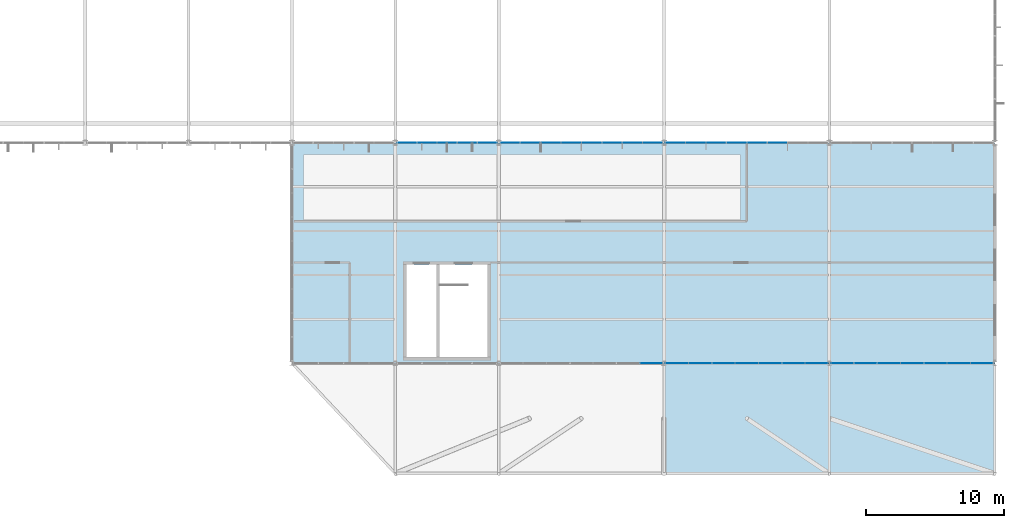
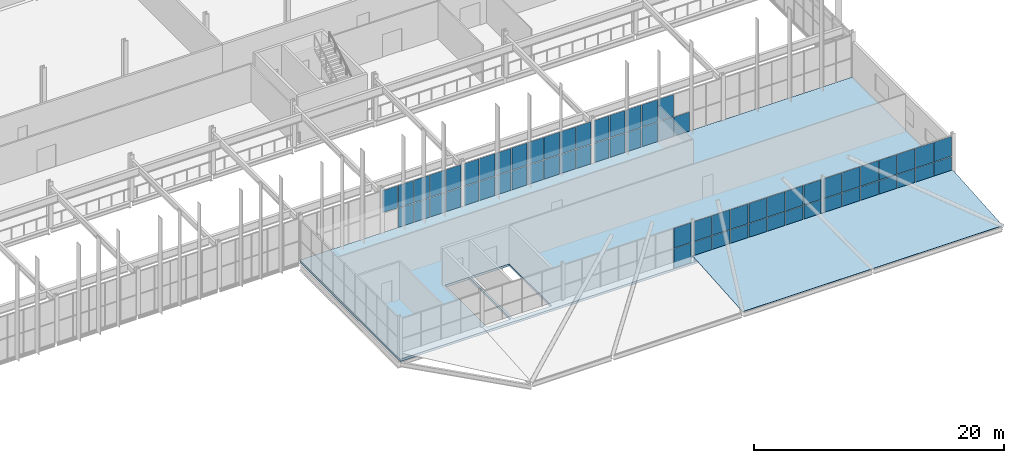
# One storey, part 282 of 324: 67 plates, 1 slab, 6 elements without a shape of their own.
"""IFC4 building model written with IfcOpenShell, lengths in metres."""

from ifc_helpers import new_model, si_unit, direction, frame, origin, origin_2d, place, context, subcontext, project, spatial, polyline, rectangle, outline, extrude, material, layer, layer_set, type_object, element, aggregate, save


model = new_model("IFC4")

# Units and contexts
model_context = context("Model", 3, precision=1e-05, world=origin(), true_north=direction((0.0, 1.0)))
body_context = subcontext(model_context, "Body", "Model", "MODEL_VIEW")
ifc_project = project(units=[si_unit("LENGTHUNIT", "METRE"), si_unit("AREAUNIT", "SQUARE_METRE"), si_unit("VOLUMEUNIT", "CUBIC_METRE"), si_unit("PLANEANGLEUNIT", "RADIAN"), si_unit("MASSUNIT", "GRAM", prefix="KILO")], contexts=[model_context])

# Site, building, storey
site_placement = place(None, origin())
site = spatial("IfcSite", under=ifc_project, at=site_placement, CompositionType="ELEMENT")
building_placement = place(site_placement, origin())
building = spatial("IfcBuilding", under=site, at=building_placement, Name="Solvenia Promenade Tram Depot", CompositionType="ELEMENT")
storey_placement = place(building_placement, frame((0.0, 0.0, 4.5)))
storey = spatial("IfcBuildingStorey", under=building, at=storey_placement, Name="L01", CompositionType="ELEMENT", Elevation=4.5)

# Curtain wall, plates
ifc_material_1 = material(Name="Anodized aluminium AW-6063 T6", Category="aluminium")
ifc_layer_1 = layer(ifc_material_1, 0.080078125, Name="Anodized aluminium AW-6063 T6", Category="aluminium")
ifc_layer_set_1 = layer_set([ifc_layer_1], Name="Anodized aluminium AW-6063 T6")
curtain_wall_type_1 = type_object("IfcCurtainWallType", Name="CW-Clerest-1500", PredefinedType="NOTDEFINED", material=ifc_layer_set_1)
curtain_wall_1_placement = place(storey_placement, origin())
curtain_wall_1 = element("IfcCurtainWall", 1, at=curtain_wall_1_placement, inside=storey, type_object=curtain_wall_type_1, Name="Curtain Wall CW-V2S-L1-06", PredefinedType="NOTDEFINED")
ifc_material_2 = material(Name="Double low-e argon insulated glass", Category="glass")
ifc_layer_2 = layer(ifc_material_2, 0.031982421875, Name="Double low-e argon insulated glass", Category="glass")
ifc_layer_set_2 = layer_set([ifc_layer_2], Name="Double low-e argon insulated glass")
plate_type_1 = type_object("IfcPlateType", Name="CWP-Panel-2", PredefinedType="CURTAIN_PANEL", material=ifc_layer_set_2)
plate_1_placement = place(storey_placement, frame((143.32763671875, 24.0, 1.927490234375), z_axis=(0.0, 0.0, 1.0), x_axis=(1.0, 0.0, 0.0)))
plate_1 = element("IfcPlate", 2, at=plate_1_placement, type_object=plate_type_1, Name="CW-4 panel 1.2", PredefinedType="CURTAIN_PANEL", context=body_context, shape_type="SweptSolid", body=[
    extrude(rectangle(XDim=1.385498046875, YDim=0.031982421875, at=origin_2d()), origin(), (0.0, 0.0, 1.0), 2.16748046875),
])
plate_2_placement = place(storey_placement, frame((144.781982421875, 24.0, -0.294921875), z_axis=(0.0, 0.0, 1.0), x_axis=(1.0, 0.0, 0.0)))
plate_2 = element("IfcPlate", 3, at=plate_2_placement, type_object=plate_type_1, Name="CW-4 panel 2.1", PredefinedType="CURTAIN_PANEL", context=body_context, shape_type="SweptSolid", body=[
    extrude(rectangle(XDim=1.4130859375, YDim=0.031982421875, at=origin_2d()), origin(), (0.0, 0.0, 1.0), 2.16748046875),
])
plate_3_placement = place(storey_placement, frame((144.781982421875, 24.0, 1.927490234375), z_axis=(0.0, 0.0, 1.0), x_axis=(1.0, 0.0, 0.0)))
plate_3 = element("IfcPlate", 4, at=plate_3_placement, type_object=plate_type_1, Name="CW-4 panel 2.2", PredefinedType="CURTAIN_PANEL", context=body_context, shape_type="SweptSolid", body=[
    extrude(rectangle(XDim=1.4130859375, YDim=0.031982421875, at=origin_2d()), origin(), (0.0, 0.0, 1.0), 2.16748046875),
])
plate_4_placement = place(storey_placement, frame((146.25, 24.0, -0.294921875), z_axis=(0.0, 0.0, 1.0), x_axis=(1.0, 0.0, 0.0)))
plate_4 = element("IfcPlate", 5, at=plate_4_placement, type_object=plate_type_1, Name="CW-4 panel 3.1", PredefinedType="CURTAIN_PANEL", context=body_context, shape_type="SweptSolid", body=[
    extrude(rectangle(XDim=1.4130859375, YDim=0.031982421875, at=origin_2d()), origin(), (0.0, 0.0, 1.0), 2.16748046875),
])
plate_5_placement = place(storey_placement, frame((146.25, 24.0, 1.927490234375), z_axis=(0.0, 0.0, 1.0), x_axis=(1.0, 0.0, 0.0)))
plate_5 = element("IfcPlate", 6, at=plate_5_placement, type_object=plate_type_1, Name="CW-4 panel 3.2", PredefinedType="CURTAIN_PANEL", context=body_context, shape_type="SweptSolid", body=[
    extrude(rectangle(XDim=1.4130859375, YDim=0.031982421875, at=origin_2d()), origin(), (0.0, 0.0, 1.0), 2.16748046875),
])
plate_6_placement = place(storey_placement, frame((147.718017578125, 24.0, -0.294921875), z_axis=(0.0, 0.0, 1.0), x_axis=(1.0, 0.0, 0.0)))
plate_6 = element("IfcPlate", 7, at=plate_6_placement, type_object=plate_type_1, Name="CW-4 panel 4.1", PredefinedType="CURTAIN_PANEL", context=body_context, shape_type="SweptSolid", body=[
    extrude(rectangle(XDim=1.4130859375, YDim=0.031982421875, at=origin_2d()), origin(), (0.0, 0.0, 1.0), 2.16748046875),
])
plate_7_placement = place(storey_placement, frame((147.718017578125, 24.0, 1.927490234375), z_axis=(0.0, 0.0, 1.0), x_axis=(1.0, 0.0, 0.0)))
plate_7 = element("IfcPlate", 8, at=plate_7_placement, type_object=plate_type_1, Name="CW-4 panel 4.2", PredefinedType="CURTAIN_PANEL", context=body_context, shape_type="SweptSolid", body=[
    extrude(rectangle(XDim=1.4130859375, YDim=0.031982421875, at=origin_2d()), origin(), (0.0, 0.0, 1.0), 2.16748046875),
])
plate_8_placement = place(storey_placement, frame((149.17236328125, 24.0, -0.294921875), z_axis=(0.0, 0.0, 1.0), x_axis=(1.0, 0.0, 0.0)))
plate_8 = element("IfcPlate", 9, at=plate_8_placement, type_object=plate_type_1, Name="CW-4 panel 5.1", PredefinedType="CURTAIN_PANEL", context=body_context, shape_type="SweptSolid", body=[
    extrude(rectangle(XDim=1.385498046875, YDim=0.031982421875, at=origin_2d()), origin(), (0.0, 0.0, 1.0), 2.16748046875),
])
plate_9_placement = place(storey_placement, frame((149.17236328125, 24.0, 1.927490234375), z_axis=(0.0, 0.0, 1.0), x_axis=(1.0, 0.0, 0.0)))
plate_9 = element("IfcPlate", 10, at=plate_9_placement, type_object=plate_type_1, Name="CW-4 panel 5.2", PredefinedType="CURTAIN_PANEL", context=body_context, shape_type="SweptSolid", body=[
    extrude(rectangle(XDim=1.385498046875, YDim=0.031982421875, at=origin_2d()), origin(), (0.0, 0.0, 1.0), 2.16748046875),
])
aggregate(curtain_wall_1, [plate_1, plate_2, plate_3, plate_4, plate_5, plate_6, plate_7, plate_8, plate_9])

curtain_wall_2_placement = place(storey_placement, origin())
curtain_wall_2 = element("IfcCurtainWall", 11, at=curtain_wall_2_placement, inside=storey, type_object=curtain_wall_type_1, Name="Curtain Wall CW-V2S-L1-07", PredefinedType="NOTDEFINED")
plate_10_placement = place(storey_placement, frame((150.833740234375, 24.0, -0.294921875), z_axis=(0.0, 0.0, 1.0), x_axis=(1.0, 0.0, 0.0)))
plate_10 = element("IfcPlate", 12, at=plate_10_placement, type_object=plate_type_1, Name="CW-4 panel 1.1", PredefinedType="CURTAIN_PANEL", context=body_context, shape_type="SweptSolid", body=[
    extrude(rectangle(XDim=1.3974609375, YDim=0.031982421875, at=origin_2d()), origin(), (0.0, 0.0, 1.0), 2.16748046875),
])
plate_11_placement = place(storey_placement, frame((150.833740234375, 24.0, 1.927490234375), z_axis=(0.0, 0.0, 1.0), x_axis=(1.0, 0.0, 0.0)))
plate_11 = element("IfcPlate", 13, at=plate_11_placement, type_object=plate_type_1, Name="CW-4 panel 1.2", PredefinedType="CURTAIN_PANEL", context=body_context, shape_type="SweptSolid", body=[
    extrude(rectangle(XDim=1.3974609375, YDim=0.031982421875, at=origin_2d()), origin(), (0.0, 0.0, 1.0), 2.16748046875),
])
plate_12_placement = place(storey_placement, frame((152.300048828125, 24.0, -0.294921875), z_axis=(0.0, 0.0, 1.0), x_axis=(1.0, 0.0, 0.0)))
plate_12 = element("IfcPlate", 14, at=plate_12_placement, type_object=plate_type_1, Name="CW-4 panel 2.1", PredefinedType="CURTAIN_PANEL", context=body_context, shape_type="SweptSolid", body=[
    extrude(rectangle(XDim=1.425048828125, YDim=0.031982421875, at=origin_2d()), origin(), (0.0, 0.0, 1.0), 2.16748046875),
])
plate_13_placement = place(storey_placement, frame((152.300048828125, 24.0, 1.927490234375), z_axis=(0.0, 0.0, 1.0), x_axis=(1.0, 0.0, 0.0)))
plate_13 = element("IfcPlate", 15, at=plate_13_placement, type_object=plate_type_1, Name="CW-4 panel 2.2", PredefinedType="CURTAIN_PANEL", context=body_context, shape_type="SweptSolid", body=[
    extrude(rectangle(XDim=1.425048828125, YDim=0.031982421875, at=origin_2d()), origin(), (0.0, 0.0, 1.0), 2.16748046875),
])
plate_14_placement = place(storey_placement, frame((153.780029296875, 24.0, -0.294921875), z_axis=(0.0, 0.0, 1.0), x_axis=(1.0, 0.0, 0.0)))
plate_14 = element("IfcPlate", 16, at=plate_14_placement, type_object=plate_type_1, Name="CW-4 panel 3.1", PredefinedType="CURTAIN_PANEL", context=body_context, shape_type="SweptSolid", body=[
    extrude(rectangle(XDim=1.425048828125, YDim=0.031982421875, at=origin_2d()), origin(), (0.0, 0.0, 1.0), 2.16748046875),
])
plate_15_placement = place(storey_placement, frame((153.780029296875, 24.0, 1.927490234375), z_axis=(0.0, 0.0, 1.0), x_axis=(1.0, 0.0, 0.0)))
plate_15 = element("IfcPlate", 17, at=plate_15_placement, type_object=plate_type_1, Name="CW-4 panel 3.2", PredefinedType="CURTAIN_PANEL", context=body_context, shape_type="SweptSolid", body=[
    extrude(rectangle(XDim=1.425048828125, YDim=0.031982421875, at=origin_2d()), origin(), (0.0, 0.0, 1.0), 2.16748046875),
])
plate_16_placement = place(storey_placement, frame((155.260009765625, 24.0, -0.294921875), z_axis=(0.0, 0.0, 1.0), x_axis=(1.0, 0.0, 0.0)))
plate_16 = element("IfcPlate", 18, at=plate_16_placement, type_object=plate_type_1, Name="CW-4 panel 4.1", PredefinedType="CURTAIN_PANEL", context=body_context, shape_type="SweptSolid", body=[
    extrude(rectangle(XDim=1.425048828125, YDim=0.031982421875, at=origin_2d()), origin(), (0.0, 0.0, 1.0), 2.16748046875),
])
plate_17_placement = place(storey_placement, frame((155.260009765625, 24.0, 1.927490234375), z_axis=(0.0, 0.0, 1.0), x_axis=(1.0, 0.0, 0.0)))
plate_17 = element("IfcPlate", 19, at=plate_17_placement, type_object=plate_type_1, Name="CW-4 panel 4.2", PredefinedType="CURTAIN_PANEL", context=body_context, shape_type="SweptSolid", body=[
    extrude(rectangle(XDim=1.425048828125, YDim=0.031982421875, at=origin_2d()), origin(), (0.0, 0.0, 1.0), 2.16748046875),
])
plate_18_placement = place(storey_placement, frame((156.739990234375, 24.0, -0.294921875), z_axis=(0.0, 0.0, 1.0), x_axis=(1.0, 0.0, 0.0)))
plate_18 = element("IfcPlate", 20, at=plate_18_placement, type_object=plate_type_1, Name="CW-4 panel 5.1", PredefinedType="CURTAIN_PANEL", context=body_context, shape_type="SweptSolid", body=[
    extrude(rectangle(XDim=1.425048828125, YDim=0.031982421875, at=origin_2d()), origin(), (0.0, 0.0, 1.0), 2.16748046875),
])
plate_19_placement = place(storey_placement, frame((156.739990234375, 24.0, 1.927490234375), z_axis=(0.0, 0.0, 1.0), x_axis=(1.0, 0.0, 0.0)))
plate_19 = element("IfcPlate", 21, at=plate_19_placement, type_object=plate_type_1, Name="CW-4 panel 5.2", PredefinedType="CURTAIN_PANEL", context=body_context, shape_type="SweptSolid", body=[
    extrude(rectangle(XDim=1.425048828125, YDim=0.031982421875, at=origin_2d()), origin(), (0.0, 0.0, 1.0), 2.16748046875),
])
plate_20_placement = place(storey_placement, frame((158.219970703125, 24.0, -0.294921875), z_axis=(0.0, 0.0, 1.0), x_axis=(1.0, 0.0, 0.0)))
plate_20 = element("IfcPlate", 22, at=plate_20_placement, type_object=plate_type_1, Name="CW-4 panel 6.1", PredefinedType="CURTAIN_PANEL", context=body_context, shape_type="SweptSolid", body=[
    extrude(rectangle(XDim=1.425048828125, YDim=0.031982421875, at=origin_2d()), origin(), (0.0, 0.0, 1.0), 2.16748046875),
])
plate_21_placement = place(storey_placement, frame((158.219970703125, 24.0, 1.927490234375), z_axis=(0.0, 0.0, 1.0), x_axis=(1.0, 0.0, 0.0)))
plate_21 = element("IfcPlate", 23, at=plate_21_placement, type_object=plate_type_1, Name="CW-4 panel 6.2", PredefinedType="CURTAIN_PANEL", context=body_context, shape_type="SweptSolid", body=[
    extrude(rectangle(XDim=1.425048828125, YDim=0.031982421875, at=origin_2d()), origin(), (0.0, 0.0, 1.0), 2.16748046875),
])
plate_22_placement = place(storey_placement, frame((159.699951171875, 24.0, -0.294921875), z_axis=(0.0, 0.0, 1.0), x_axis=(1.0, 0.0, 0.0)))
plate_22 = element("IfcPlate", 24, at=plate_22_placement, type_object=plate_type_1, Name="CW-4 panel 7.1", PredefinedType="CURTAIN_PANEL", context=body_context, shape_type="SweptSolid", body=[
    extrude(rectangle(XDim=1.425048828125, YDim=0.031982421875, at=origin_2d()), origin(), (0.0, 0.0, 1.0), 2.16748046875),
])
plate_23_placement = place(storey_placement, frame((159.699951171875, 24.0, 1.927490234375), z_axis=(0.0, 0.0, 1.0), x_axis=(1.0, 0.0, 0.0)))
plate_23 = element("IfcPlate", 25, at=plate_23_placement, type_object=plate_type_1, Name="CW-4 panel 7.2", PredefinedType="CURTAIN_PANEL", context=body_context, shape_type="SweptSolid", body=[
    extrude(rectangle(XDim=1.425048828125, YDim=0.031982421875, at=origin_2d()), origin(), (0.0, 0.0, 1.0), 2.16748046875),
])
plate_24_placement = place(storey_placement, frame((161.166259765625, 24.0, -0.294921875), z_axis=(0.0, 0.0, 1.0), x_axis=(1.0, 0.0, 0.0)))
plate_24 = element("IfcPlate", 26, at=plate_24_placement, type_object=plate_type_1, Name="CW-4 panel 8.1", PredefinedType="CURTAIN_PANEL", context=body_context, shape_type="SweptSolid", body=[
    extrude(rectangle(XDim=1.3974609375, YDim=0.031982421875, at=origin_2d()), origin(), (0.0, 0.0, 1.0), 2.16748046875),
])
plate_25_placement = place(storey_placement, frame((161.166259765625, 24.0, 1.927490234375), z_axis=(0.0, 0.0, 1.0), x_axis=(1.0, 0.0, 0.0)))
plate_25 = element("IfcPlate", 27, at=plate_25_placement, type_object=plate_type_1, Name="CW-4 panel 8.2", PredefinedType="CURTAIN_PANEL", context=body_context, shape_type="SweptSolid", body=[
    extrude(rectangle(XDim=1.3974609375, YDim=0.031982421875, at=origin_2d()), origin(), (0.0, 0.0, 1.0), 2.16748046875),
])
aggregate(curtain_wall_2, [plate_10, plate_11, plate_12, plate_13, plate_14, plate_15, plate_16, plate_17, plate_18, plate_19, plate_20, plate_21, plate_22, plate_23, plate_24, plate_25])

curtain_wall_3_placement = place(storey_placement, origin())
curtain_wall_3 = element("IfcCurtainWall", 28, at=curtain_wall_3_placement, inside=storey, type_object=curtain_wall_type_1, Name="Curtain Wall CW-V2S-L1-08", PredefinedType="NOTDEFINED")
plate_26_placement = place(storey_placement, frame((162.833740234375, 24.0, -0.294921875), z_axis=(0.0, 0.0, 1.0), x_axis=(1.0, 0.0, 0.0)))
plate_26 = element("IfcPlate", 29, at=plate_26_placement, type_object=plate_type_1, Name="CW-4 panel 1.1", PredefinedType="CURTAIN_PANEL", context=body_context, shape_type="SweptSolid", body=[
    extrude(rectangle(XDim=1.3974609375, YDim=0.031982421875, at=origin_2d()), origin(), (0.0, 0.0, 1.0), 2.16748046875),
])
plate_27_placement = place(storey_placement, frame((162.833740234375, 24.0, 1.927490234375), z_axis=(0.0, 0.0, 1.0), x_axis=(1.0, 0.0, 0.0)))
plate_27 = element("IfcPlate", 30, at=plate_27_placement, type_object=plate_type_1, Name="CW-4 panel 1.2", PredefinedType="CURTAIN_PANEL", context=body_context, shape_type="SweptSolid", body=[
    extrude(rectangle(XDim=1.3974609375, YDim=0.031982421875, at=origin_2d()), origin(), (0.0, 0.0, 1.0), 2.16748046875),
])
plate_28_placement = place(storey_placement, frame((164.300048828125, 24.0, -0.294921875), z_axis=(0.0, 0.0, 1.0), x_axis=(1.0, 0.0, 0.0)))
plate_28 = element("IfcPlate", 31, at=plate_28_placement, type_object=plate_type_1, Name="CW-4 panel 2.1", PredefinedType="CURTAIN_PANEL", context=body_context, shape_type="SweptSolid", body=[
    extrude(rectangle(XDim=1.425048828125, YDim=0.031982421875, at=origin_2d()), origin(), (0.0, 0.0, 1.0), 2.16748046875),
])
plate_29_placement = place(storey_placement, frame((164.300048828125, 24.0, 1.927490234375), z_axis=(0.0, 0.0, 1.0), x_axis=(1.0, 0.0, 0.0)))
plate_29 = element("IfcPlate", 32, at=plate_29_placement, type_object=plate_type_1, Name="CW-4 panel 2.2", PredefinedType="CURTAIN_PANEL", context=body_context, shape_type="SweptSolid", body=[
    extrude(rectangle(XDim=1.425048828125, YDim=0.031982421875, at=origin_2d()), origin(), (0.0, 0.0, 1.0), 2.16748046875),
])
plate_30_placement = place(storey_placement, frame((165.780029296875, 24.0, -0.294921875), z_axis=(0.0, 0.0, 1.0), x_axis=(1.0, 0.0, 0.0)))
plate_30 = element("IfcPlate", 33, at=plate_30_placement, type_object=plate_type_1, Name="CW-4 panel 3.1", PredefinedType="CURTAIN_PANEL", context=body_context, shape_type="SweptSolid", body=[
    extrude(rectangle(XDim=1.425048828125, YDim=0.031982421875, at=origin_2d()), origin(), (0.0, 0.0, 1.0), 2.16748046875),
])
plate_31_placement = place(storey_placement, frame((165.780029296875, 24.0, 1.927490234375), z_axis=(0.0, 0.0, 1.0), x_axis=(1.0, 0.0, 0.0)))
plate_31 = element("IfcPlate", 34, at=plate_31_placement, type_object=plate_type_1, Name="CW-4 panel 3.2", PredefinedType="CURTAIN_PANEL", context=body_context, shape_type="SweptSolid", body=[
    extrude(rectangle(XDim=1.425048828125, YDim=0.031982421875, at=origin_2d()), origin(), (0.0, 0.0, 1.0), 2.16748046875),
])
plate_32_placement = place(storey_placement, frame((167.260009765625, 24.0, -0.294921875), z_axis=(0.0, 0.0, 1.0), x_axis=(1.0, 0.0, 0.0)))
plate_32 = element("IfcPlate", 35, at=plate_32_placement, type_object=plate_type_1, Name="CW-4 panel 4.1", PredefinedType="CURTAIN_PANEL", context=body_context, shape_type="SweptSolid", body=[
    extrude(rectangle(XDim=1.425048828125, YDim=0.031982421875, at=origin_2d()), origin(), (0.0, 0.0, 1.0), 2.16748046875),
])
plate_33_placement = place(storey_placement, frame((167.260009765625, 24.0, 1.927490234375), z_axis=(0.0, 0.0, 1.0), x_axis=(1.0, 0.0, 0.0)))
plate_33 = element("IfcPlate", 36, at=plate_33_placement, type_object=plate_type_1, Name="CW-4 panel 4.2", PredefinedType="CURTAIN_PANEL", context=body_context, shape_type="SweptSolid", body=[
    extrude(rectangle(XDim=1.425048828125, YDim=0.031982421875, at=origin_2d()), origin(), (0.0, 0.0, 1.0), 2.16748046875),
])
plate_34_placement = place(storey_placement, frame((168.739990234375, 24.0, -0.294921875), z_axis=(0.0, 0.0, 1.0), x_axis=(1.0, 0.0, 0.0)))
plate_34 = element("IfcPlate", 37, at=plate_34_placement, type_object=plate_type_1, Name="CW-4 panel 5.1", PredefinedType="CURTAIN_PANEL", context=body_context, shape_type="SweptSolid", body=[
    extrude(rectangle(XDim=1.425048828125, YDim=0.031982421875, at=origin_2d()), origin(), (0.0, 0.0, 1.0), 2.16748046875),
])
plate_35_placement = place(storey_placement, frame((168.739990234375, 24.0, 1.927490234375), z_axis=(0.0, 0.0, 1.0), x_axis=(1.0, 0.0, 0.0)))
plate_35 = element("IfcPlate", 38, at=plate_35_placement, type_object=plate_type_1, Name="CW-4 panel 5.2", PredefinedType="CURTAIN_PANEL", context=body_context, shape_type="SweptSolid", body=[
    extrude(rectangle(XDim=1.425048828125, YDim=0.031982421875, at=origin_2d()), origin(), (0.0, 0.0, 1.0), 2.16748046875),
])
plate_36_placement = place(storey_placement, frame((170.219970703125, 24.0, -0.294921875), z_axis=(0.0, 0.0, 1.0), x_axis=(1.0, 0.0, 0.0)))
plate_36 = element("IfcPlate", 39, at=plate_36_placement, type_object=plate_type_1, Name="CW-4 panel 6.1", PredefinedType="CURTAIN_PANEL", context=body_context, shape_type="SweptSolid", body=[
    extrude(rectangle(XDim=1.425048828125, YDim=0.031982421875, at=origin_2d()), origin(), (0.0, 0.0, 1.0), 2.16748046875),
])
aggregate(curtain_wall_3, [plate_26, plate_27, plate_28, plate_29, plate_30, plate_31, plate_32, plate_33, plate_34, plate_35, plate_36])

ifc_layer_3 = layer(ifc_material_1, 0.179931640625, Name="Anodized aluminium AW-6063 T6", Category="aluminium")
ifc_layer_set_3 = layer_set([ifc_layer_3], Name="Anodized aluminium AW-6063 T6")
curtain_wall_type_2 = type_object("IfcCurtainWallType", Name="CW-Prom-1800", PredefinedType="NOTDEFINED", material=ifc_layer_set_3)
curtain_wall_4_placement = place(storey_placement, origin())
curtain_wall_4 = element("IfcCurtainWall", 40, at=curtain_wall_4_placement, inside=storey, type_object=curtain_wall_type_2, Name="Curtain Wall CW-V5S-L1-03", PredefinedType="NOTDEFINED")
plate_37_placement = place(storey_placement, frame((161.060546875, 8.0, 0.054931640625), z_axis=(0.0, 0.0, 1.0), x_axis=(1.0, 0.0, 0.0)))
plate_37 = element("IfcPlate", 41, at=plate_37_placement, type_object=plate_type_1, Name="CW-9 panel 7.1", PredefinedType="CURTAIN_PANEL", context=body_context, shape_type="SweptSolid", body=[
    extrude(rectangle(XDim=1.60888671875, YDim=0.031982421875, at=origin_2d()), origin(), (0.0, 0.0, 1.0), 1.91748046875),
])
plate_38_placement = place(storey_placement, frame((161.060546875, 8.0, 2.027587890625), z_axis=(0.0, 0.0, 1.0), x_axis=(1.0, 0.0, 0.0)))
plate_38 = element("IfcPlate", 42, at=plate_38_placement, type_object=plate_type_1, Name="CW-9 panel 7.2", PredefinedType="CURTAIN_PANEL", context=body_context, shape_type="SweptSolid", body=[
    extrude(rectangle(XDim=1.60888671875, YDim=0.031982421875, at=origin_2d()), origin(), (0.0, 0.0, 1.0), 1.91748046875),
])
aggregate(curtain_wall_4, [plate_37, plate_38])

curtain_wall_5_placement = place(storey_placement, origin())
curtain_wall_5 = element("IfcCurtainWall", 43, at=curtain_wall_5_placement, inside=storey, type_object=curtain_wall_type_2, Name="Curtain Wall CW-V5S-L1-04", PredefinedType="NOTDEFINED")
plate_39_placement = place(storey_placement, frame((162.939453125, 8.0, 0.054931640625), z_axis=(0.0, 0.0, 1.0), x_axis=(1.0, 0.0, 0.0)))
plate_39 = element("IfcPlate", 44, at=plate_39_placement, type_object=plate_type_1, Name="CW-9 panel 1.1", PredefinedType="CURTAIN_PANEL", context=body_context, shape_type="SweptSolid", body=[
    extrude(rectangle(XDim=1.60888671875, YDim=0.031982421875, at=origin_2d()), origin(), (0.0, 0.0, 1.0), 1.91748046875),
])
plate_40_placement = place(storey_placement, frame((162.939453125, 8.0, 2.027587890625), z_axis=(0.0, 0.0, 1.0), x_axis=(1.0, 0.0, 0.0)))
plate_40 = element("IfcPlate", 45, at=plate_40_placement, type_object=plate_type_1, Name="CW-9 panel 1.2", PredefinedType="CURTAIN_PANEL", context=body_context, shape_type="SweptSolid", body=[
    extrude(rectangle(XDim=1.60888671875, YDim=0.031982421875, at=origin_2d()), origin(), (0.0, 0.0, 1.0), 1.91748046875),
])
plate_41_placement = place(storey_placement, frame((164.6171875, 8.0, 0.054931640625), z_axis=(0.0, 0.0, 1.0), x_axis=(1.0, 0.0, 0.0)))
plate_41 = element("IfcPlate", 46, at=plate_41_placement, type_object=plate_type_1, Name="CW-9 panel 2.1", PredefinedType="CURTAIN_PANEL", context=body_context, shape_type="SweptSolid", body=[
    extrude(rectangle(XDim=1.636474609375, YDim=0.031982421875, at=origin_2d()), origin(), (0.0, 0.0, 1.0), 1.91748046875),
])
plate_42_placement = place(storey_placement, frame((164.6171875, 8.0, 2.027587890625), z_axis=(0.0, 0.0, 1.0), x_axis=(1.0, 0.0, 0.0)))
plate_42 = element("IfcPlate", 47, at=plate_42_placement, type_object=plate_type_1, Name="CW-9 panel 2.2", PredefinedType="CURTAIN_PANEL", context=body_context, shape_type="SweptSolid", body=[
    extrude(rectangle(XDim=1.636474609375, YDim=0.031982421875, at=origin_2d()), origin(), (0.0, 0.0, 1.0), 1.91748046875),
])
plate_43_placement = place(storey_placement, frame((166.30859375, 8.0, 0.054931640625), z_axis=(0.0, 0.0, 1.0), x_axis=(1.0, 0.0, 0.0)))
plate_43 = element("IfcPlate", 48, at=plate_43_placement, type_object=plate_type_1, Name="CW-9 panel 3.1", PredefinedType="CURTAIN_PANEL", context=body_context, shape_type="SweptSolid", body=[
    extrude(rectangle(XDim=1.636474609375, YDim=0.031982421875, at=origin_2d()), origin(), (0.0, 0.0, 1.0), 1.91748046875),
])
plate_44_placement = place(storey_placement, frame((166.30859375, 8.0, 2.027587890625), z_axis=(0.0, 0.0, 1.0), x_axis=(1.0, 0.0, 0.0)))
plate_44 = element("IfcPlate", 49, at=plate_44_placement, type_object=plate_type_1, Name="CW-9 panel 3.2", PredefinedType="CURTAIN_PANEL", context=body_context, shape_type="SweptSolid", body=[
    extrude(rectangle(XDim=1.636474609375, YDim=0.031982421875, at=origin_2d()), origin(), (0.0, 0.0, 1.0), 1.91748046875),
])
plate_45_placement = place(storey_placement, frame((168.0, 8.0, 0.054931640625), z_axis=(0.0, 0.0, 1.0), x_axis=(1.0, 0.0, 0.0)))
plate_45 = element("IfcPlate", 50, at=plate_45_placement, type_object=plate_type_1, Name="CW-9 panel 4.1", PredefinedType="CURTAIN_PANEL", context=body_context, shape_type="SweptSolid", body=[
    extrude(rectangle(XDim=1.636474609375, YDim=0.031982421875, at=origin_2d()), origin(), (0.0, 0.0, 1.0), 1.91748046875),
])
plate_46_placement = place(storey_placement, frame((168.0, 8.0, 2.027587890625), z_axis=(0.0, 0.0, 1.0), x_axis=(1.0, 0.0, 0.0)))
plate_46 = element("IfcPlate", 51, at=plate_46_placement, type_object=plate_type_1, Name="CW-9 panel 4.2", PredefinedType="CURTAIN_PANEL", context=body_context, shape_type="SweptSolid", body=[
    extrude(rectangle(XDim=1.636474609375, YDim=0.031982421875, at=origin_2d()), origin(), (0.0, 0.0, 1.0), 1.91748046875),
])
plate_47_placement = place(storey_placement, frame((169.69140625, 8.0, 0.054931640625), z_axis=(0.0, 0.0, 1.0), x_axis=(1.0, 0.0, 0.0)))
plate_47 = element("IfcPlate", 52, at=plate_47_placement, type_object=plate_type_1, Name="CW-9 panel 5.1", PredefinedType="CURTAIN_PANEL", context=body_context, shape_type="SweptSolid", body=[
    extrude(rectangle(XDim=1.636474609375, YDim=0.031982421875, at=origin_2d()), origin(), (0.0, 0.0, 1.0), 1.91748046875),
])
plate_48_placement = place(storey_placement, frame((169.69140625, 8.0, 2.027587890625), z_axis=(0.0, 0.0, 1.0), x_axis=(1.0, 0.0, 0.0)))
plate_48 = element("IfcPlate", 53, at=plate_48_placement, type_object=plate_type_1, Name="CW-9 panel 5.2", PredefinedType="CURTAIN_PANEL", context=body_context, shape_type="SweptSolid", body=[
    extrude(rectangle(XDim=1.636474609375, YDim=0.031982421875, at=origin_2d()), origin(), (0.0, 0.0, 1.0), 1.91748046875),
])
plate_49_placement = place(storey_placement, frame((171.3828125, 8.0, 0.054931640625), z_axis=(0.0, 0.0, 1.0), x_axis=(1.0, 0.0, 0.0)))
plate_49 = element("IfcPlate", 54, at=plate_49_placement, type_object=plate_type_1, Name="CW-9 panel 6.1", PredefinedType="CURTAIN_PANEL", context=body_context, shape_type="SweptSolid", body=[
    extrude(rectangle(XDim=1.636474609375, YDim=0.031982421875, at=origin_2d()), origin(), (0.0, 0.0, 1.0), 1.91748046875),
])
plate_50_placement = place(storey_placement, frame((171.3828125, 8.0, 2.027587890625), z_axis=(0.0, 0.0, 1.0), x_axis=(1.0, 0.0, 0.0)))
plate_50 = element("IfcPlate", 55, at=plate_50_placement, type_object=plate_type_1, Name="CW-9 panel 6.2", PredefinedType="CURTAIN_PANEL", context=body_context, shape_type="SweptSolid", body=[
    extrude(rectangle(XDim=1.636474609375, YDim=0.031982421875, at=origin_2d()), origin(), (0.0, 0.0, 1.0), 1.91748046875),
])
plate_51_placement = place(storey_placement, frame((173.060546875, 8.0, 0.054931640625), z_axis=(0.0, 0.0, 1.0), x_axis=(1.0, 0.0, 0.0)))
plate_51 = element("IfcPlate", 56, at=plate_51_placement, type_object=plate_type_1, Name="CW-9 panel 7.1", PredefinedType="CURTAIN_PANEL", context=body_context, shape_type="SweptSolid", body=[
    extrude(rectangle(XDim=1.60888671875, YDim=0.031982421875, at=origin_2d()), origin(), (0.0, 0.0, 1.0), 1.91748046875),
])
plate_52_placement = place(storey_placement, frame((173.060546875, 8.0, 2.027587890625), z_axis=(0.0, 0.0, 1.0), x_axis=(1.0, 0.0, 0.0)))
plate_52 = element("IfcPlate", 57, at=plate_52_placement, type_object=plate_type_1, Name="CW-9 panel 7.2", PredefinedType="CURTAIN_PANEL", context=body_context, shape_type="SweptSolid", body=[
    extrude(rectangle(XDim=1.60888671875, YDim=0.031982421875, at=origin_2d()), origin(), (0.0, 0.0, 1.0), 1.91748046875),
])
aggregate(curtain_wall_5, [plate_39, plate_40, plate_41, plate_42, plate_43, plate_44, plate_45, plate_46, plate_47, plate_48, plate_49, plate_50, plate_51, plate_52])

curtain_wall_6_placement = place(storey_placement, origin())
curtain_wall_6 = element("IfcCurtainWall", 58, at=curtain_wall_6_placement, inside=storey, type_object=curtain_wall_type_2, Name="Curtain Wall CW-V5S-L1-05", PredefinedType="NOTDEFINED")
plate_53_placement = place(storey_placement, frame((174.939453125, 8.0, 0.054931640625), z_axis=(0.0, 0.0, 1.0), x_axis=(1.0, 0.0, 0.0)))
plate_53 = element("IfcPlate", 59, at=plate_53_placement, type_object=plate_type_1, Name="CW-9 panel 1.1", PredefinedType="CURTAIN_PANEL", context=body_context, shape_type="SweptSolid", body=[
    extrude(rectangle(XDim=1.60888671875, YDim=0.031982421875, at=origin_2d()), origin(), (0.0, 0.0, 1.0), 1.91748046875),
])
plate_54_placement = place(storey_placement, frame((174.939453125, 8.0, 2.027587890625), z_axis=(0.0, 0.0, 1.0), x_axis=(1.0, 0.0, 0.0)))
plate_54 = element("IfcPlate", 60, at=plate_54_placement, type_object=plate_type_1, Name="CW-9 panel 1.2", PredefinedType="CURTAIN_PANEL", context=body_context, shape_type="SweptSolid", body=[
    extrude(rectangle(XDim=1.60888671875, YDim=0.031982421875, at=origin_2d()), origin(), (0.0, 0.0, 1.0), 1.91748046875),
])
plate_55_placement = place(storey_placement, frame((176.6171875, 8.0, 0.054931640625), z_axis=(0.0, 0.0, 1.0), x_axis=(1.0, 0.0, 0.0)))
plate_55 = element("IfcPlate", 61, at=plate_55_placement, type_object=plate_type_1, Name="CW-9 panel 2.1", PredefinedType="CURTAIN_PANEL", context=body_context, shape_type="SweptSolid", body=[
    extrude(rectangle(XDim=1.636474609375, YDim=0.031982421875, at=origin_2d()), origin(), (0.0, 0.0, 1.0), 1.91748046875),
])
plate_56_placement = place(storey_placement, frame((176.6171875, 8.0, 2.027587890625), z_axis=(0.0, 0.0, 1.0), x_axis=(1.0, 0.0, 0.0)))
plate_56 = element("IfcPlate", 62, at=plate_56_placement, type_object=plate_type_1, Name="CW-9 panel 2.2", PredefinedType="CURTAIN_PANEL", context=body_context, shape_type="SweptSolid", body=[
    extrude(rectangle(XDim=1.636474609375, YDim=0.031982421875, at=origin_2d()), origin(), (0.0, 0.0, 1.0), 1.91748046875),
])
plate_57_placement = place(storey_placement, frame((178.30859375, 8.0, 0.054931640625), z_axis=(0.0, 0.0, 1.0), x_axis=(1.0, 0.0, 0.0)))
plate_57 = element("IfcPlate", 63, at=plate_57_placement, type_object=plate_type_1, Name="CW-9 panel 3.1", PredefinedType="CURTAIN_PANEL", context=body_context, shape_type="SweptSolid", body=[
    extrude(rectangle(XDim=1.636474609375, YDim=0.031982421875, at=origin_2d()), origin(), (0.0, 0.0, 1.0), 1.91748046875),
])
plate_58_placement = place(storey_placement, frame((178.30859375, 8.0, 2.027587890625), z_axis=(0.0, 0.0, 1.0), x_axis=(1.0, 0.0, 0.0)))
plate_58 = element("IfcPlate", 64, at=plate_58_placement, type_object=plate_type_1, Name="CW-9 panel 3.2", PredefinedType="CURTAIN_PANEL", context=body_context, shape_type="SweptSolid", body=[
    extrude(rectangle(XDim=1.636474609375, YDim=0.031982421875, at=origin_2d()), origin(), (0.0, 0.0, 1.0), 1.91748046875),
])
plate_59_placement = place(storey_placement, frame((180.0, 8.0, 0.054931640625), z_axis=(0.0, 0.0, 1.0), x_axis=(1.0, 0.0, 0.0)))
plate_59 = element("IfcPlate", 65, at=plate_59_placement, type_object=plate_type_1, Name="CW-9 panel 4.1", PredefinedType="CURTAIN_PANEL", context=body_context, shape_type="SweptSolid", body=[
    extrude(rectangle(XDim=1.636474609375, YDim=0.031982421875, at=origin_2d()), origin(), (0.0, 0.0, 1.0), 1.91748046875),
])
plate_60_placement = place(storey_placement, frame((180.0, 8.0, 2.027587890625), z_axis=(0.0, 0.0, 1.0), x_axis=(1.0, 0.0, 0.0)))
plate_60 = element("IfcPlate", 66, at=plate_60_placement, type_object=plate_type_1, Name="CW-9 panel 4.2", PredefinedType="CURTAIN_PANEL", context=body_context, shape_type="SweptSolid", body=[
    extrude(rectangle(XDim=1.636474609375, YDim=0.031982421875, at=origin_2d()), origin(), (0.0, 0.0, 1.0), 1.91748046875),
])
plate_61_placement = place(storey_placement, frame((181.69140625, 8.0, 0.054931640625), z_axis=(0.0, 0.0, 1.0), x_axis=(1.0, 0.0, 0.0)))
plate_61 = element("IfcPlate", 67, at=plate_61_placement, type_object=plate_type_1, Name="CW-9 panel 5.1", PredefinedType="CURTAIN_PANEL", context=body_context, shape_type="SweptSolid", body=[
    extrude(rectangle(XDim=1.636474609375, YDim=0.031982421875, at=origin_2d()), origin(), (0.0, 0.0, 1.0), 1.91748046875),
])
plate_62_placement = place(storey_placement, frame((181.69140625, 8.0, 2.027587890625), z_axis=(0.0, 0.0, 1.0), x_axis=(1.0, 0.0, 0.0)))
plate_62 = element("IfcPlate", 68, at=plate_62_placement, type_object=plate_type_1, Name="CW-9 panel 5.2", PredefinedType="CURTAIN_PANEL", context=body_context, shape_type="SweptSolid", body=[
    extrude(rectangle(XDim=1.636474609375, YDim=0.031982421875, at=origin_2d()), origin(), (0.0, 0.0, 1.0), 1.91748046875),
])
plate_63_placement = place(storey_placement, frame((183.3828125, 8.0, 0.054931640625), z_axis=(0.0, 0.0, 1.0), x_axis=(1.0, 0.0, 0.0)))
plate_63 = element("IfcPlate", 69, at=plate_63_placement, type_object=plate_type_1, Name="CW-9 panel 6.1", PredefinedType="CURTAIN_PANEL", context=body_context, shape_type="SweptSolid", body=[
    extrude(rectangle(XDim=1.636474609375, YDim=0.031982421875, at=origin_2d()), origin(), (0.0, 0.0, 1.0), 1.91748046875),
])
plate_64_placement = place(storey_placement, frame((183.3828125, 8.0, 2.027587890625), z_axis=(0.0, 0.0, 1.0), x_axis=(1.0, 0.0, 0.0)))
plate_64 = element("IfcPlate", 70, at=plate_64_placement, type_object=plate_type_1, Name="CW-9 panel 6.2", PredefinedType="CURTAIN_PANEL", context=body_context, shape_type="SweptSolid", body=[
    extrude(rectangle(XDim=1.636474609375, YDim=0.031982421875, at=origin_2d()), origin(), (0.0, 0.0, 1.0), 1.91748046875),
])
plate_65_placement = place(storey_placement, frame((185.060546875, 8.0, 0.054931640625), z_axis=(0.0, 0.0, 1.0), x_axis=(1.0, 0.0, 0.0)))
plate_65 = element("IfcPlate", 71, at=plate_65_placement, type_object=plate_type_1, Name="CW-9 panel 7.1", PredefinedType="CURTAIN_PANEL", context=body_context, shape_type="SweptSolid", body=[
    extrude(rectangle(XDim=1.60888671875, YDim=0.031982421875, at=origin_2d()), origin(), (0.0, 0.0, 1.0), 1.91748046875),
])
plate_66_placement = place(storey_placement, frame((185.060546875, 8.0, 2.027587890625), z_axis=(0.0, 0.0, 1.0), x_axis=(1.0, 0.0, 0.0)))
plate_66 = element("IfcPlate", 72, at=plate_66_placement, type_object=plate_type_1, Name="CW-9 panel 7.2", PredefinedType="CURTAIN_PANEL", context=body_context, shape_type="SweptSolid", body=[
    extrude(rectangle(XDim=1.60888671875, YDim=0.031982421875, at=origin_2d()), origin(), (0.0, 0.0, 1.0), 1.91748046875),
])
aggregate(curtain_wall_6, [plate_53, plate_54, plate_55, plate_56, plate_57, plate_58, plate_59, plate_60, plate_61, plate_62, plate_63, plate_64, plate_65, plate_66])

# Plate
ifc_material_3 = material(Name="Translucent multi-wall insulated polycarbonate cassette", Category="other")
ifc_layer_4 = layer(ifc_material_3, 0.0380859375, Name="Translucent multi-wall insulated polycarbonate cassette", Category="other")
ifc_layer_set_4 = layer_set([ifc_layer_4], Name="Translucent multi-wall insulated polycarbonate cassette")
plate_type_2 = type_object("IfcPlateType", Name="DaylightCassette-3", PredefinedType="SHEET", material=ifc_layer_set_4)
plate_67_placement = place(storey_placement, frame((162.0, 0.0, 0.050048828125), z_axis=(0.0, -0.074771791074, 0.99720067151), x_axis=(1.0, 0.0, 0.0)))
element("IfcPlate", 73, at=plate_67_placement, inside=storey, type_object=plate_type_2, Name="Colonnade Insulated Daylight Canopy 2", PredefinedType="SHEET", context=body_context, shape_type="SweptSolid", body=[
    extrude(outline(polyline([(0.0, 0.0), (24.0, 0.0), (24.0, 8.022457493823676), (0.0, 8.022457493823676), (0.0, 0.0)])), origin(), (0.0, 0.0, -1.0), 0.0380859375),
])

# Slab
ifc_material_4 = material(Name="Concrete C28/35", Category="concrete")
ifc_layer_5 = layer(ifc_material_4, 0.219970703125, Name="Concrete C28/35", Category="concrete")
ifc_layer_set_5 = layer_set([ifc_layer_5], Name="Concrete C28/35")
slab_type = type_object("IfcSlabType", Name="Slab-Floor-220", PredefinedType="FLOOR", material=ifc_layer_set_5)
slab_placement = place(storey_placement, frame((0.0, 0.0, -0.219970703125)))
element("IfcSlab", 74, at=slab_placement, inside=storey, type_object=slab_type, Name="L01 V5 Structural Slab", PredefinedType="FLOOR", context=body_context, shape_type="SweptSolid", body=[
    extrude(outline(polyline([(135.0, 8.0), (186.0, 8.0), (186.0, 24.0), (135.0, 24.0), (135.0, 8.0)]), holes=[polyline([(143.300048828125, 15.14990234375), (145.5, 15.14990234375), (145.5, 8.449951171875), (143.300048828125, 8.449951171875), (143.300048828125, 15.14990234375)]), polyline([(145.679931640625, 15.169921875), (149.219970703125, 15.169921875), (149.219970703125, 8.429931640625), (145.679931640625, 8.429931640625), (145.679931640625, 15.169921875)])]), origin(), (0.0, 0.0, 1.0), 0.219970703125),
])

save(model, "model.ifc")
